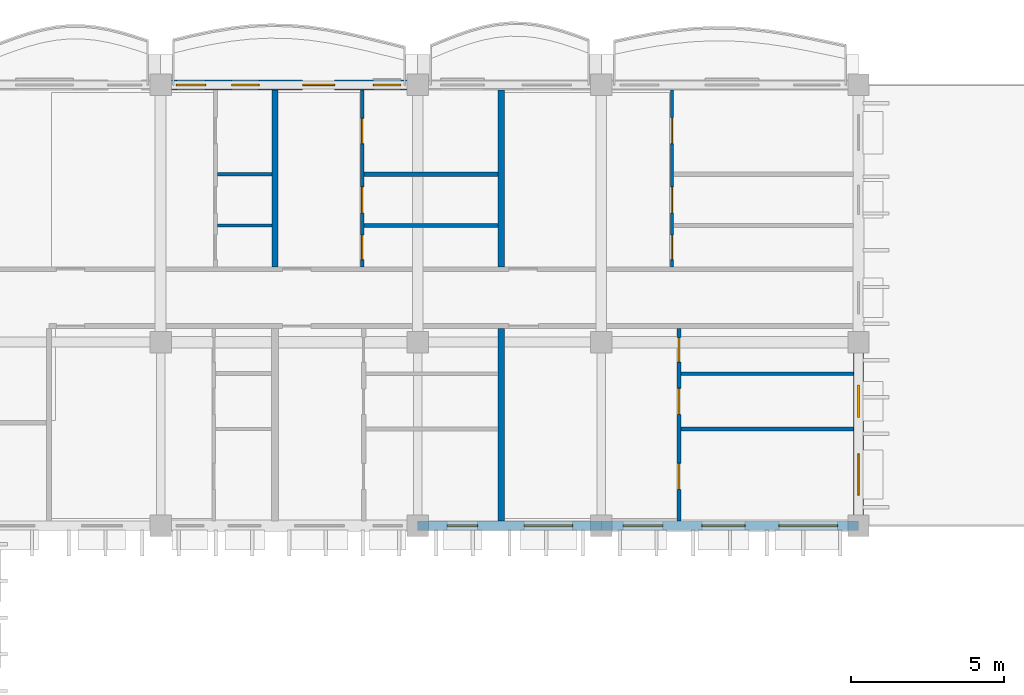
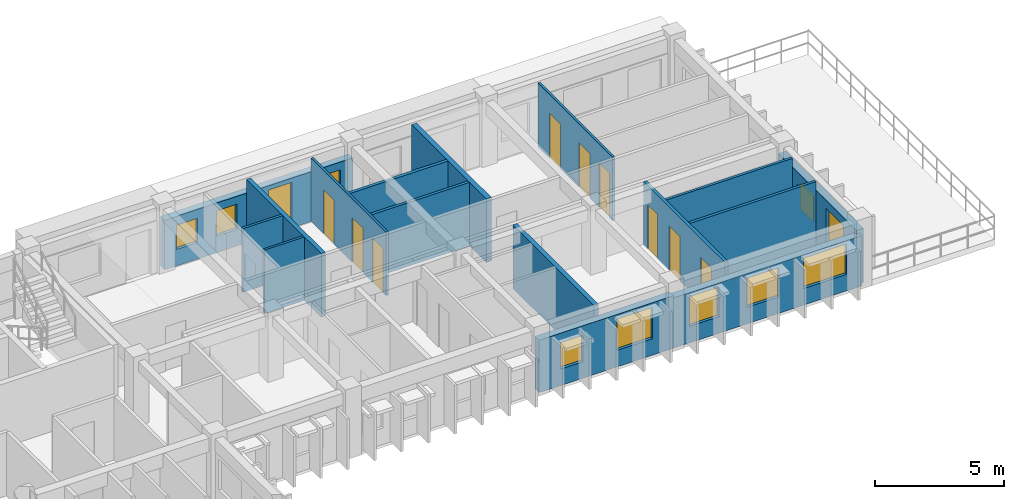
# One storey, part 23 of 66: 16 walls, 11 doors, 9 windows, 20 openings.
"""IFC4 building model written with IfcOpenShell, lengths in metres."""

from ifc_helpers import new_model, si_unit, direction, frame, frame_2d, origin, place, context, subcontext, project, spatial, rectangle, extrude, material, layer, layer_set, type_object, element, fill, save


model = new_model("IFC4")

# Units and contexts
model_context = context("Model", 3, precision=1e-05, world=origin(), true_north=direction((0.0, 1.0)))
body_context = subcontext(model_context, "Body", "Model", "MODEL_VIEW")
ifc_project = project(units=[si_unit("LENGTHUNIT", "METRE"), si_unit("AREAUNIT", "SQUARE_METRE"), si_unit("VOLUMEUNIT", "CUBIC_METRE"), si_unit("PLANEANGLEUNIT", "RADIAN"), si_unit("MASSUNIT", "GRAM", prefix="KILO"), si_unit("THERMODYNAMICTEMPERATUREUNIT", "KELVIN")], contexts=[model_context])

# Site, building, storey
site_placement = place(None, origin())
site = spatial("IfcSite", under=ifc_project, at=site_placement, CompositionType="ELEMENT")
building_placement = place(site_placement, origin())
building = spatial("IfcBuilding", under=site, at=building_placement, Name="Thalorik Housing Commons", CompositionType="ELEMENT")
storey_placement = place(building_placement, frame((0.0, 0.0, 21.300048828125)))
storey = spatial("IfcBuildingStorey", under=building, at=storey_placement, Name="L06", CompositionType="ELEMENT", Elevation=21.300048828125)

# Wall, openings, windows
ifc_material_1 = material(Name="White precast concrete C40/50", Category="concrete")
ifc_layer_1 = layer(ifc_material_1, 0.320068359375, Name="White precast concrete C40/50", Category="concrete")
ifc_layer_set_1 = layer_set([ifc_layer_1], Name="White precast concrete C40/50")
wall_type_1 = type_object("IfcWallType", Name="ARC-WAL-EXT-320", PredefinedType="STANDARD", material=ifc_layer_set_1)
wall_1_placement = place(storey_placement, frame((37.199951171875, 109.199951171875, 0.0), z_axis=(0.0, 0.0, 1.0), x_axis=(1.0, 0.0, 0.0)))
wall_1 = element("IfcWall", 1, at=wall_1_placement, inside=storey, type_object=wall_type_1, Name="L06 Exterior Wall WAL-EXT-L06-A-0171", PredefinedType="STANDARD", context=body_context, shape_type="SweptSolid", body=[
    extrude(rectangle(XDim=6.0, YDim=0.320068359375, at=frame_2d((3.0, 0.0))), origin(), (0.0, 0.0, 1.0), 2.474853515625),
])
opening_1_placement = place(wall_1_placement, frame((0.9599609375, 0.0, 0.780029296875)))
opening_1 = element("IfcOpeningElement", 2, at=opening_1_placement, cuts=wall_1, Name="Opening W-02", PredefinedType="OPENING", context=body_context, shape_type="SweptSolid", body=[
    extrude(rectangle(XDim=1.0, YDim=1.25, at=frame_2d((0.5, 0.625))), frame((0.0, 0.169921875, 0.0), z_axis=(0.0, -1.0, 0.0), x_axis=(1.0, 0.0, 0.0)), (0.0, 0.0, 1.0), 0.340087890625),
])
opening_2_placement = place(wall_1_placement, frame((3.47998046875, 0.0, 0.780029296875)))
opening_2 = element("IfcOpeningElement", 3, at=opening_2_placement, cuts=wall_1, Name="Opening W-53", PredefinedType="OPENING", context=body_context, shape_type="SweptSolid", body=[
    extrude(rectangle(XDim=1.580078125, YDim=1.47998046875, at=frame_2d((0.7900390625, 0.739990234375))), frame((0.0, 0.169921875, 0.0), z_axis=(0.0, -1.0, 0.0), x_axis=(1.0, 0.0, 0.0)), (0.0, 0.0, 1.0), 0.340087890625),
])
ifc_material_2 = material(Name="Anodised aluminium and solar-control low-E glass", Category="aluminium")
window_type_1 = type_object("IfcWindowType", Name="ARC-WIN-02", PartitioningType="SINGLE_PANEL", PredefinedType="WINDOW", material=ifc_material_2)
window_1_placement = place(opening_1_placement, origin())
window_1 = element("IfcWindow", 4, at=window_1_placement, inside=storey, type_object=window_type_1, Name="L06 Facade Window 307", OverallHeight=1.25, OverallWidth=1.0, PartitioningType="SINGLE_PANEL", PredefinedType="WINDOW", context=body_context, shape_type="SweptSolid", body=[
    extrude(rectangle(XDim=1.0, YDim=1.25, at=frame_2d((0.5, 0.625))), frame((0.0, 0.030029296875, 0.0), z_axis=(0.0, -1.0, 0.0), x_axis=(1.0, 0.0, 0.0)), (0.0, 0.0, 1.0), 0.06005859375),
])
fill(opening_1, window_1)
window_type_2 = type_object("IfcWindowType", Name="ARC-WIN-53", PartitioningType="SINGLE_PANEL", PredefinedType="WINDOW", material=ifc_material_2)
window_2_placement = place(opening_2_placement, origin())
window_2 = element("IfcWindow", 5, at=window_2_placement, inside=storey, type_object=window_type_2, Name="L06 Facade Window 308", OverallHeight=1.47998046875, OverallWidth=1.580078125, PartitioningType="SINGLE_PANEL", PredefinedType="WINDOW", context=body_context, shape_type="SweptSolid", body=[
    extrude(rectangle(XDim=1.580078125, YDim=1.47998046875, at=frame_2d((0.7900390625, 0.739990234375))), frame((0.0, 0.030029296875, 0.0), z_axis=(0.0, -1.0, 0.0), x_axis=(1.0, 0.0, 0.0)), (0.0, 0.0, 1.0), 0.06005859375),
])
fill(opening_2, window_2)

wall_2_placement = place(storey_placement, frame((43.199951171875, 109.199951171875, 0.0), z_axis=(0.0, 0.0, 1.0), x_axis=(1.0, 0.0, 0.0)))
wall_2 = element("IfcWall", 6, at=wall_2_placement, inside=storey, type_object=wall_type_1, Name="L06 Exterior Wall WAL-EXT-L06-A-0172", PredefinedType="STANDARD", context=body_context, shape_type="SweptSolid", body=[
    extrude(rectangle(XDim=8.400146484375, YDim=0.320068359375, at=frame_2d((4.2001953125, 0.0))), origin(), (0.0, 0.0, 1.0), 2.375),
])
opening_3_placement = place(wall_2_placement, frame((0.71240234375, 0.0, 0.780029296875)))
opening_3 = element("IfcOpeningElement", 7, at=opening_3_placement, cuts=wall_2, Name="Opening W-06", PredefinedType="OPENING", context=body_context, shape_type="SweptSolid", body=[
    extrude(rectangle(XDim=1.300048828125, YDim=1.39990234375, at=frame_2d((0.64990234375, 0.699951171875))), frame((0.0, 0.169921875, 0.0), z_axis=(0.0, -1.0, 0.0), x_axis=(1.0, 0.0, 0.0)), (0.0, 0.0, 1.0), 0.340087890625),
])
opening_4_placement = place(wall_2_placement, frame((3.27880859375, 0.0, 0.780029296875)))
opening_4 = element("IfcOpeningElement", 8, at=opening_4_placement, cuts=wall_2, Name="Opening W-50", PredefinedType="OPENING", context=body_context, shape_type="SweptSolid", body=[
    extrude(rectangle(XDim=1.419921875, YDim=1.3798828125, at=frame_2d((0.7099609375, 0.68994140625))), frame((0.0, 0.169921875, 0.0), z_axis=(0.0, -1.0, 0.0), x_axis=(1.0, 0.0, 0.0)), (0.0, 0.0, 1.0), 0.340087890625),
])
opening_5_placement = place(wall_2_placement, frame((5.796142578125, 0.0, 0.780029296875)))
opening_5 = element("IfcOpeningElement", 9, at=opening_5_placement, cuts=wall_2, Name="Opening W-60", PredefinedType="OPENING", context=body_context, shape_type="SweptSolid", body=[
    extrude(rectangle(XDim=1.919921875, YDim=1.43994140625, at=frame_2d((0.9599609375, 0.719970703125))), frame((0.0, 0.169921875, 0.0), z_axis=(0.0, -1.0, 0.0), x_axis=(1.0, 0.0, 0.0)), (0.0, 0.0, 1.0), 0.340087890625),
])
window_type_3 = type_object("IfcWindowType", Name="ARC-WIN-06", PartitioningType="SINGLE_PANEL", PredefinedType="WINDOW", material=ifc_material_2)
window_3_placement = place(opening_3_placement, origin())
window_3 = element("IfcWindow", 10, at=window_3_placement, inside=storey, type_object=window_type_3, Name="L06 Facade Window 309", OverallHeight=1.39990234375, OverallWidth=1.300048828125, PartitioningType="SINGLE_PANEL", PredefinedType="WINDOW", context=body_context, shape_type="SweptSolid", body=[
    extrude(rectangle(XDim=1.300048828125, YDim=1.39990234375, at=frame_2d((0.64990234375, 0.699951171875))), frame((0.0, 0.030029296875, 0.0), z_axis=(0.0, -1.0, 0.0), x_axis=(1.0, 0.0, 0.0)), (0.0, 0.0, 1.0), 0.06005859375),
])
fill(opening_3, window_3)
window_type_4 = type_object("IfcWindowType", Name="ARC-WIN-50", PartitioningType="SINGLE_PANEL", PredefinedType="WINDOW", material=ifc_material_2)
window_4_placement = place(opening_4_placement, origin())
window_4 = element("IfcWindow", 11, at=window_4_placement, inside=storey, type_object=window_type_4, Name="L06 Facade Window 310", OverallHeight=1.3798828125, OverallWidth=1.419921875, PartitioningType="SINGLE_PANEL", PredefinedType="WINDOW", context=body_context, shape_type="SweptSolid", body=[
    extrude(rectangle(XDim=1.419921875, YDim=1.3798828125, at=frame_2d((0.7099609375, 0.68994140625))), frame((0.0, 0.030029296875, 0.0), z_axis=(0.0, -1.0, 0.0), x_axis=(1.0, 0.0, 0.0)), (0.0, 0.0, 1.0), 0.06005859375),
])
fill(opening_4, window_4)
window_type_5 = type_object("IfcWindowType", Name="ARC-WIN-60", PartitioningType="DOUBLE_PANEL_VERTICAL", PredefinedType="WINDOW", material=ifc_material_2)
window_5_placement = place(opening_5_placement, origin())
window_5 = element("IfcWindow", 12, at=window_5_placement, inside=storey, type_object=window_type_5, Name="L06 Facade Window 311", OverallHeight=1.43994140625, OverallWidth=1.919921875, PartitioningType="DOUBLE_PANEL_VERTICAL", PredefinedType="WINDOW", context=body_context, shape_type="SweptSolid", body=[
    extrude(rectangle(XDim=1.919921875, YDim=1.43994140625, at=frame_2d((0.9599609375, 0.719970703125))), frame((0.0, 0.030029296875, 0.0), z_axis=(0.0, -1.0, 0.0), x_axis=(1.0, 0.0, 0.0)), (0.0, 0.0, 1.0), 0.06005859375),
])
fill(opening_5, window_5)

# Wall, openings, door, window
wall_3_placement = place(storey_placement, frame((51.60009765625, 109.199951171875, 0.0), z_axis=(0.0, 0.0, 1.0), x_axis=(0.0, 1.0, 0.0)))
wall_3 = element("IfcWall", 13, at=wall_3_placement, inside=storey, type_object=wall_type_1, Name="L06 Exterior Wall WAL-EXT-L06-A-0173", PredefinedType="STANDARD", context=body_context, shape_type="SweptSolid", body=[
    extrude(rectangle(XDim=6.0, YDim=0.320068359375, at=frame_2d((3.0, 0.0))), origin(), (0.0, 0.0, 1.0), 2.574951171875),
])
opening_6_placement = place(wall_3_placement, frame((1.00048828125, 0.0, 0.0)))
opening_6 = element("IfcOpeningElement", 14, at=opening_6_placement, cuts=wall_3, Name="Opening ED-0050", PredefinedType="OPENING", context=body_context, shape_type="SweptSolid", body=[
    extrude(rectangle(XDim=1.35009765625, YDim=2.199951171875, at=frame_2d((0.675048828125, 1.10009765625))), frame((0.0, 0.169921875, 0.0), z_axis=(0.0, -1.0, 0.0), x_axis=(1.0, 0.0, 0.0)), (0.0, 0.0, 1.0), 0.340087890625),
])
opening_7_placement = place(wall_3_placement, frame((3.540283203125, 0.0, 0.780029296875)))
opening_7 = element("IfcOpeningElement", 15, at=opening_7_placement, cuts=wall_3, Name="Opening W-44", PredefinedType="OPENING", context=body_context, shape_type="SweptSolid", body=[
    extrude(rectangle(XDim=1.050048828125, YDim=1.199951171875, at=frame_2d((0.52490234375, 0.60009765625))), frame((0.0, 0.169921875, 0.0), z_axis=(0.0, -1.0, 0.0), x_axis=(1.0, 0.0, 0.0)), (0.0, 0.0, 1.0), 0.340087890625),
])
ifc_material_3 = material(Name="Anodised aluminium and laminated safety glass", Category="aluminium")
door_type_1 = type_object("IfcDoorType", Name="ARC-DR-TERR-1350", OperationType="NOTDEFINED", PredefinedType="DOOR", material=ifc_material_3)
door_1_placement = place(opening_6_placement, frame((1.35009765625, 0.0, 0.0), z_axis=(0.0, 0.0, 1.0), x_axis=(-1.0, 0.0, 0.0)))
door_1 = element("IfcDoor", 16, at=door_1_placement, inside=storey, type_object=door_type_1, Name="L06 Block A L06 East Sky-Garden Terrace Access Door", OperationType="SINGLE_SWING_LEFT", OverallHeight=2.199951171875, OverallWidth=1.35009765625, PredefinedType="DOOR", context=body_context, shape_type="SweptSolid", body=[
    extrude(rectangle(XDim=1.35009765625, YDim=2.199951171875, at=frame_2d((0.675048828125, 1.10009765625))), frame((0.0, 0.02490234375, 0.0), z_axis=(0.0, -1.0, 0.0), x_axis=(1.0, 0.0, 0.0)), (0.0, 0.0, 1.0), 0.050048828125),
])
fill(opening_6, door_1)
window_type_6 = type_object("IfcWindowType", Name="ARC-WIN-44", PartitioningType="SINGLE_PANEL", PredefinedType="WINDOW", material=ifc_material_2)
window_6_placement = place(opening_7_placement, origin())
window_6 = element("IfcWindow", 17, at=window_6_placement, inside=storey, type_object=window_type_6, Name="L06 Facade Window 312", OverallHeight=1.199951171875, OverallWidth=1.050048828125, PartitioningType="SINGLE_PANEL", PredefinedType="WINDOW", context=body_context, shape_type="SweptSolid", body=[
    extrude(rectangle(XDim=1.050048828125, YDim=1.199951171875, at=frame_2d((0.52490234375, 0.60009765625))), frame((0.0, 0.030029296875, 0.0), z_axis=(0.0, -1.0, 0.0), x_axis=(1.0, 0.0, 0.0)), (0.0, 0.0, 1.0), 0.06005859375),
])
fill(opening_7, window_6)

# Wall, openings, door, windows
wall_4_placement = place(storey_placement, frame((37.199951171875, 123.60009765625, 0.0), z_axis=(0.0, 0.0, 1.0), x_axis=(-1.0, 0.0, 0.0)))
wall_4 = element("IfcWall", 18, at=wall_4_placement, inside=storey, type_object=wall_type_1, Name="L06 Exterior Wall WAL-EXT-L06-A-0177", PredefinedType="STANDARD", context=body_context, shape_type="SweptSolid", body=[
    extrude(rectangle(XDim=8.39990234375, YDim=0.320068359375, at=frame_2d((4.199951171875, 0.0))), origin(), (0.0, 0.0, 1.0), 2.344970703125),
])
opening_8_placement = place(wall_4_placement, frame((2.71142578125, 0.0, 0.0)))
opening_8 = element("IfcOpeningElement", 19, at=opening_8_placement, cuts=wall_4, Name="Opening ED-0054", PredefinedType="OPENING", context=body_context, shape_type="SweptSolid", body=[
    extrude(rectangle(XDim=1.050048828125, YDim=2.14990234375, at=frame_2d((0.52490234375, 1.074951171875))), frame((0.0, 0.169921875, 0.0), z_axis=(0.0, -1.0, 0.0), x_axis=(1.0, 0.0, 0.0)), (0.0, 0.0, 1.0), 0.340087890625),
])
opening_9_placement = place(wall_4_placement, frame((0.551513671875, 0.0, 0.780029296875)))
opening_9 = element("IfcOpeningElement", 20, at=opening_9_placement, cuts=wall_4, Name="Opening W-01", PredefinedType="OPENING", context=body_context, shape_type="SweptSolid", body=[
    extrude(rectangle(XDim=0.89990234375, YDim=1.199951171875, at=frame_2d((0.449951171875, 0.60009765625))), frame((0.0, 0.169921875, 0.0), z_axis=(0.0, -1.0, 0.0), x_axis=(1.0, 0.0, 0.0)), (0.0, 0.0, 1.0), 0.340087890625),
])
opening_10_placement = place(wall_4_placement, frame((5.181396484375, 0.0, 0.780029296875)))
opening_10 = element("IfcOpeningElement", 21, at=opening_10_placement, cuts=wall_4, Name="Opening W-01", PredefinedType="OPENING", context=body_context, shape_type="SweptSolid", body=[
    extrude(rectangle(XDim=0.89990234375, YDim=1.199951171875, at=frame_2d((0.449951171875, 0.60009765625))), frame((0.0, 0.169921875, 0.0), z_axis=(0.0, -1.0, 0.0), x_axis=(1.0, 0.0, 0.0)), (0.0, 0.0, 1.0), 0.340087890625),
])
opening_11_placement = place(wall_4_placement, frame((6.931396484375, 0.0, 0.780029296875)))
opening_11 = element("IfcOpeningElement", 22, at=opening_11_placement, cuts=wall_4, Name="Opening W-43", PredefinedType="OPENING", context=body_context, shape_type="SweptSolid", body=[
    extrude(rectangle(XDim=0.949951171875, YDim=1.14990234375, at=frame_2d((0.47509765625, 0.574951171875))), frame((0.0, 0.169921875, 0.0), z_axis=(0.0, -1.0, 0.0), x_axis=(1.0, 0.0, 0.0)), (0.0, 0.0, 1.0), 0.340087890625),
])
door_type_2 = type_object("IfcDoorType", Name="ARC-DR-BAL-1050", OperationType="NOTDEFINED", PredefinedType="DOOR", material=ifc_material_3)
door_2_placement = place(opening_8_placement, frame((1.050048828125, 0.0, 0.0), z_axis=(0.0, 0.0, 1.0), x_axis=(-1.0, 0.0, 0.0)))
door_2 = element("IfcDoor", 23, at=door_2_placement, inside=storey, type_object=door_type_2, Name="L06 Block A Balcony Glazed Door", OperationType="SINGLE_SWING_LEFT", OverallHeight=2.14990234375, OverallWidth=1.050048828125, PredefinedType="DOOR", context=body_context, shape_type="SweptSolid", body=[
    extrude(rectangle(XDim=1.050048828125, YDim=2.14990234375, at=frame_2d((0.52490234375, 1.074951171875))), frame((0.0, 0.02490234375, 0.0), z_axis=(0.0, -1.0, 0.0), x_axis=(1.0, 0.0, 0.0)), (0.0, 0.0, 1.0), 0.050048828125),
])
fill(opening_8, door_2)
window_type_7 = type_object("IfcWindowType", Name="ARC-WIN-01", PartitioningType="SINGLE_PANEL", PredefinedType="WINDOW", material=ifc_material_2)
window_7_placement = place(opening_9_placement, origin())
window_7 = element("IfcWindow", 24, at=window_7_placement, inside=storey, type_object=window_type_7, Name="L06 Facade Window 318", OverallHeight=1.199951171875, OverallWidth=0.89990234375, PartitioningType="SINGLE_PANEL", PredefinedType="WINDOW", context=body_context, shape_type="SweptSolid", body=[
    extrude(rectangle(XDim=0.89990234375, YDim=1.199951171875, at=frame_2d((0.449951171875, 0.60009765625))), frame((0.0, 0.030029296875, 0.0), z_axis=(0.0, -1.0, 0.0), x_axis=(1.0, 0.0, 0.0)), (0.0, 0.0, 1.0), 0.06005859375),
])
fill(opening_9, window_7)
window_8_placement = place(opening_10_placement, origin())
window_8 = element("IfcWindow", 25, at=window_8_placement, inside=storey, type_object=window_type_7, Name="L06 Facade Window 319", OverallHeight=1.199951171875, OverallWidth=0.89990234375, PartitioningType="SINGLE_PANEL", PredefinedType="WINDOW", context=body_context, shape_type="SweptSolid", body=[
    extrude(rectangle(XDim=0.89990234375, YDim=1.199951171875, at=frame_2d((0.449951171875, 0.60009765625))), frame((0.0, 0.030029296875, 0.0), z_axis=(0.0, -1.0, 0.0), x_axis=(1.0, 0.0, 0.0)), (0.0, 0.0, 1.0), 0.06005859375),
])
fill(opening_10, window_8)
window_type_8 = type_object("IfcWindowType", Name="ARC-WIN-43", PartitioningType="SINGLE_PANEL", PredefinedType="WINDOW", material=ifc_material_2)
window_9_placement = place(opening_11_placement, origin())
window_9 = element("IfcWindow", 26, at=window_9_placement, inside=storey, type_object=window_type_8, Name="L06 Facade Window 320", OverallHeight=1.14990234375, OverallWidth=0.949951171875, PartitioningType="SINGLE_PANEL", PredefinedType="WINDOW", context=body_context, shape_type="SweptSolid", body=[
    extrude(rectangle(XDim=0.949951171875, YDim=1.14990234375, at=frame_2d((0.47509765625, 0.574951171875))), frame((0.0, 0.030029296875, 0.0), z_axis=(0.0, -1.0, 0.0), x_axis=(1.0, 0.0, 0.0)), (0.0, 0.0, 1.0), 0.06005859375),
])
fill(opening_11, window_9)

# Wall
ifc_material_4 = material(Name="Gypsum light stud partition", Category="masonry")
ifc_layer_2 = layer(ifc_material_4, 0.10009765625, Name="Gypsum light stud partition", Category="masonry")
ifc_layer_set_2 = layer_set([ifc_layer_2], Name="Gypsum light stud partition")
wall_type_2 = type_object("IfcWallType", Name="ARC-WAL-PART-100", PredefinedType="PARTITIONING", material=ifc_layer_set_2)
wall_5_placement = place(storey_placement, frame((30.66162109375, 119.010498046875, 0.0), z_axis=(0.0, 0.0, 1.0), x_axis=(1.0, 0.0, 0.0)))
element("IfcWall", 27, at=wall_5_placement, inside=storey, type_object=wall_type_2, Name="L06 Unit 1B Wet Wall", PredefinedType="PARTITIONING", context=body_context, shape_type="SweptSolid", body=[
    extrude(rectangle(XDim=1.783935546875, YDim=0.10009765625, at=frame_2d((0.89208984375, 0.0))), origin(), (0.0, 0.0, 1.0), 3.0),
])

# Wall, openings, doors
wall_6_placement = place(storey_placement, frame((35.38720703125, 117.656982421875, 0.0), z_axis=(0.0, 0.0, 1.0), x_axis=(0.0, 1.0, 0.0)))
wall_6 = element("IfcWall", 28, at=wall_6_placement, inside=storey, type_object=wall_type_2, Name="L06 Unit 2B Spine Partition", PredefinedType="PARTITIONING", context=body_context, shape_type="SweptSolid", body=[
    extrude(rectangle(XDim=5.781005859375, YDim=0.10009765625, at=frame_2d((2.890625, 0.0))), origin(), (0.0, 0.0, 1.0), 3.0),
])
opening_12_placement = place(wall_6_placement, frame((0.23828125, 0.0, 0.0)))
opening_12 = element("IfcOpeningElement", 29, at=opening_12_placement, cuts=wall_6, Name="Opening ID-0654", PredefinedType="OPENING", context=body_context, shape_type="SweptSolid", body=[
    extrude(rectangle(XDim=0.800048828125, YDim=2.10009765625, at=frame_2d((0.39990234375, 1.050048828125))), frame((0.0, 0.06005859375, 0.0), z_axis=(0.0, -1.0, 0.0), x_axis=(1.0, 0.0, 0.0)), (0.0, 0.0, 1.0), 0.1201171875),
])
opening_13_placement = place(wall_6_placement, frame((1.7626953125, 0.0, 0.0)))
opening_13 = element("IfcOpeningElement", 30, at=opening_13_placement, cuts=wall_6, Name="Opening ID-0655", PredefinedType="OPENING", context=body_context, shape_type="SweptSolid", body=[
    extrude(rectangle(XDim=0.85009765625, YDim=2.10009765625, at=frame_2d((0.425048828125, 1.050048828125))), frame((0.0, 0.06005859375, 0.0), z_axis=(0.0, -1.0, 0.0), x_axis=(1.0, 0.0, 0.0)), (0.0, 0.0, 1.0), 0.1201171875),
])
opening_14_placement = place(wall_6_placement, frame((4.027587890625, 0.0, 0.0)))
opening_14 = element("IfcOpeningElement", 31, at=opening_14_placement, cuts=wall_6, Name="Opening ID-0656", PredefinedType="OPENING", context=body_context, shape_type="SweptSolid", body=[
    extrude(rectangle(XDim=0.820068359375, YDim=2.080078125, at=frame_2d((0.41015625, 1.0400390625))), frame((0.0, 0.06005859375, 0.0), z_axis=(0.0, -1.0, 0.0), x_axis=(1.0, 0.0, 0.0)), (0.0, 0.0, 1.0), 0.1201171875),
])
ifc_material_5 = material(Name="Moisture-resistant timber", Category="wood")
door_type_3 = type_object("IfcDoorType", Name="ARC-DR-INT-800", OperationType="NOTDEFINED", PredefinedType="DOOR", material=ifc_material_5)
door_3_placement = place(opening_12_placement, origin())
door_3 = element("IfcDoor", 32, at=door_3_placement, inside=storey, type_object=door_type_3, Name="L06 Accessible Bathroom Door", OperationType="SINGLE_SWING_LEFT", OverallHeight=2.10009765625, OverallWidth=0.800048828125, PredefinedType="DOOR", context=body_context, shape_type="SweptSolid", body=[
    extrude(rectangle(XDim=0.800048828125, YDim=2.10009765625, at=frame_2d((0.39990234375, 1.050048828125))), frame((0.0, 0.02490234375, 0.0), z_axis=(0.0, -1.0, 0.0), x_axis=(1.0, 0.0, 0.0)), (0.0, 0.0, 1.0), 0.050048828125),
])
fill(opening_12, door_3)
ifc_material_6 = material(Name="Engineered oak timber", Category="wood")
door_type_4 = type_object("IfcDoorType", Name="ARC-DR-INT-820", OperationType="NOTDEFINED", PredefinedType="DOOR", material=ifc_material_6)
door_4_placement = place(opening_14_placement, origin())
door_4 = element("IfcDoor", 33, at=door_4_placement, inside=storey, type_object=door_type_4, Name="L06 Single Bedroom Door", OperationType="SINGLE_SWING_LEFT", OverallHeight=2.080078125, OverallWidth=0.820068359375, PredefinedType="DOOR", context=body_context, shape_type="SweptSolid", body=[
    extrude(rectangle(XDim=0.820068359375, YDim=2.080078125, at=frame_2d((0.41015625, 1.0400390625))), frame((0.0, 0.02490234375, 0.0), z_axis=(0.0, -1.0, 0.0), x_axis=(1.0, 0.0, 0.0)), (0.0, 0.0, 1.0), 0.050048828125),
])
fill(opening_14, door_4)
door_type_5 = type_object("IfcDoorType", Name="ARC-DR-INT-850", OperationType="NOTDEFINED", PredefinedType="DOOR", material=ifc_material_6)
door_5_placement = place(opening_13_placement, origin())
door_5 = element("IfcDoor", 34, at=door_5_placement, inside=storey, type_object=door_type_5, Name="L06 Eat-In Kitchen Door", OperationType="SINGLE_SWING_RIGHT", OverallHeight=2.10009765625, OverallWidth=0.85009765625, PredefinedType="DOOR", context=body_context, shape_type="SweptSolid", body=[
    extrude(rectangle(XDim=0.85009765625, YDim=2.10009765625, at=frame_2d((0.425048828125, 1.050048828125))), frame((0.0, 0.02490234375, 0.0), z_axis=(0.0, -1.0, 0.0), x_axis=(1.0, 0.0, 0.0)), (0.0, 0.0, 1.0), 0.050048828125),
])
fill(opening_13, door_5)

wall_7_placement = place(storey_placement, frame((45.502685546875, 117.656982421875, 0.0), z_axis=(0.0, 0.0, 1.0), x_axis=(0.0, 1.0, 0.0)))
wall_7 = element("IfcWall", 35, at=wall_7_placement, inside=storey, type_object=wall_type_2, Name="L06 Unit 3B Spine Partition", PredefinedType="PARTITIONING", context=body_context, shape_type="SweptSolid", body=[
    extrude(rectangle(XDim=5.781005859375, YDim=0.10009765625, at=frame_2d((2.890625, 0.0))), origin(), (0.0, 0.0, 1.0), 3.0),
])
opening_15_placement = place(wall_7_placement, frame((0.23828125, 0.0, 0.0)))
opening_15 = element("IfcOpeningElement", 36, at=opening_15_placement, cuts=wall_7, Name="Opening ID-0660", PredefinedType="OPENING", context=body_context, shape_type="SweptSolid", body=[
    extrude(rectangle(XDim=0.800048828125, YDim=2.10009765625, at=frame_2d((0.39990234375, 1.050048828125))), frame((0.0, 0.06005859375, 0.0), z_axis=(0.0, -1.0, 0.0), x_axis=(1.0, 0.0, 0.0)), (0.0, 0.0, 1.0), 0.1201171875),
])
opening_16_placement = place(wall_7_placement, frame((1.7626953125, 0.0, 0.0)))
opening_16 = element("IfcOpeningElement", 37, at=opening_16_placement, cuts=wall_7, Name="Opening ID-0661", PredefinedType="OPENING", context=body_context, shape_type="SweptSolid", body=[
    extrude(rectangle(XDim=0.85009765625, YDim=2.10009765625, at=frame_2d((0.425048828125, 1.050048828125))), frame((0.0, 0.06005859375, 0.0), z_axis=(0.0, -1.0, 0.0), x_axis=(1.0, 0.0, 0.0)), (0.0, 0.0, 1.0), 0.1201171875),
])
opening_17_placement = place(wall_7_placement, frame((4.027587890625, 0.0, 0.0)))
opening_17 = element("IfcOpeningElement", 38, at=opening_17_placement, cuts=wall_7, Name="Opening ID-0662", PredefinedType="OPENING", context=body_context, shape_type="SweptSolid", body=[
    extrude(rectangle(XDim=0.85009765625, YDim=2.10009765625, at=frame_2d((0.425048828125, 1.050048828125))), frame((0.0, 0.06005859375, 0.0), z_axis=(0.0, -1.0, 0.0), x_axis=(1.0, 0.0, 0.0)), (0.0, 0.0, 1.0), 0.1201171875),
])
door_6_placement = place(opening_15_placement, origin())
door_6 = element("IfcDoor", 39, at=door_6_placement, inside=storey, type_object=door_type_3, Name="L06 Flat Bathroom Door", OperationType="SINGLE_SWING_LEFT", OverallHeight=2.10009765625, OverallWidth=0.800048828125, PredefinedType="DOOR", context=body_context, shape_type="SweptSolid", body=[
    extrude(rectangle(XDim=0.800048828125, YDim=2.10009765625, at=frame_2d((0.39990234375, 1.050048828125))), frame((0.0, 0.02490234375, 0.0), z_axis=(0.0, -1.0, 0.0), x_axis=(1.0, 0.0, 0.0)), (0.0, 0.0, 1.0), 0.050048828125),
])
fill(opening_15, door_6)
door_7_placement = place(opening_16_placement, origin())
door_7 = element("IfcDoor", 40, at=door_7_placement, inside=storey, type_object=door_type_5, Name="L06 Galley Kitchen Door", OperationType="SINGLE_SWING_RIGHT", OverallHeight=2.10009765625, OverallWidth=0.85009765625, PredefinedType="DOOR", context=body_context, shape_type="SweptSolid", body=[
    extrude(rectangle(XDim=0.85009765625, YDim=2.10009765625, at=frame_2d((0.425048828125, 1.050048828125))), frame((0.0, 0.02490234375, 0.0), z_axis=(0.0, -1.0, 0.0), x_axis=(1.0, 0.0, 0.0)), (0.0, 0.0, 1.0), 0.050048828125),
])
fill(opening_16, door_7)
door_8_placement = place(opening_17_placement, origin())
door_8 = element("IfcDoor", 41, at=door_8_placement, inside=storey, type_object=door_type_5, Name="L06 Single Bedroom Door", OperationType="SINGLE_SWING_LEFT", OverallHeight=2.10009765625, OverallWidth=0.85009765625, PredefinedType="DOOR", context=body_context, shape_type="SweptSolid", body=[
    extrude(rectangle(XDim=0.85009765625, YDim=2.10009765625, at=frame_2d((0.425048828125, 1.050048828125))), frame((0.0, 0.02490234375, 0.0), z_axis=(0.0, -1.0, 0.0), x_axis=(1.0, 0.0, 0.0)), (0.0, 0.0, 1.0), 0.050048828125),
])
fill(opening_17, door_8)

# Walls
ifc_material_7 = material(Name="Gypsum moisture-resistant partition", Category="masonry")
ifc_layer_3 = layer(ifc_material_7, 0.114990234375, Name="Gypsum moisture-resistant partition", Category="masonry")
ifc_layer_set_3 = layer_set([ifc_layer_3], Name="Gypsum moisture-resistant partition")
wall_type_3 = type_object("IfcWallType", Name="ARC-WAL-PART-115", PredefinedType="PARTITIONING", material=ifc_layer_set_3)
wall_8_placement = place(storey_placement, frame((30.66162109375, 120.67919921875, 0.0), z_axis=(0.0, 0.0, 1.0), x_axis=(1.0, 0.0, 0.0)))
element("IfcWall", 42, at=wall_8_placement, inside=storey, type_object=wall_type_3, Name="L06 Unit 1B Bedroom Partition", PredefinedType="PARTITIONING", context=body_context, shape_type="SweptSolid", body=[
    extrude(rectangle(XDim=1.783935546875, YDim=0.114990234375, at=frame_2d((0.89208984375, 0.0))), origin(), (0.0, 0.0, 1.0), 3.0),
])
wall_9_placement = place(storey_placement, frame((45.806884765625, 114.169677734375, 0.0), z_axis=(0.0, 0.0, 1.0), x_axis=(1.0, 0.0, 0.0)))
element("IfcWall", 43, at=wall_9_placement, inside=storey, type_object=wall_type_3, Name="L06 Unit 3 Wet Wall", PredefinedType="PARTITIONING", context=body_context, shape_type="SweptSolid", body=[
    extrude(rectangle(XDim=5.631103515625, YDim=0.114990234375, at=frame_2d((2.8154296875, 0.0))), origin(), (0.0, 0.0, 1.0), 3.0),
])
ifc_material_8 = material(Name="Gypsum acoustic stud partition", Category="masonry")
ifc_layer_4 = layer(ifc_material_8, 0.125, Name="Gypsum acoustic stud partition", Category="masonry")
ifc_layer_set_4 = layer_set([ifc_layer_4], Name="Gypsum acoustic stud partition")
wall_type_4 = type_object("IfcWallType", Name="ARC-WAL-PART-125", PredefinedType="PARTITIONING", material=ifc_layer_set_4)
wall_10_placement = place(storey_placement, frame((35.439208984375, 119.010498046875, 0.0), z_axis=(0.0, 0.0, 1.0), x_axis=(1.0, 0.0, 0.0)))
element("IfcWall", 44, at=wall_10_placement, inside=storey, type_object=wall_type_4, Name="L06 Unit 2B Wet Wall", PredefinedType="PARTITIONING", context=body_context, shape_type="SweptSolid", body=[
    extrude(rectangle(XDim=4.37890625, YDim=0.125, at=frame_2d((2.189453125, 0.0))), origin(), (0.0, 0.0, 1.0), 3.0),
])
wall_11_placement = place(storey_placement, frame((45.806884765625, 112.36083984375, 0.0), z_axis=(0.0, 0.0, 1.0), x_axis=(1.0, 0.0, 0.0)))
element("IfcWall", 45, at=wall_11_placement, inside=storey, type_object=wall_type_4, Name="L06 Unit 3 Bedroom Partition", PredefinedType="PARTITIONING", context=body_context, shape_type="SweptSolid", body=[
    extrude(rectangle(XDim=5.631103515625, YDim=0.125, at=frame_2d((2.8154296875, 0.0))), origin(), (0.0, 0.0, 1.0), 3.0),
])
ifc_material_9 = material(Name="Ceramic masonry partition wall", Category="masonry")
ifc_layer_5 = layer(ifc_material_9, 0.139892578125, Name="Ceramic masonry partition wall", Category="masonry")
ifc_layer_set_5 = layer_set([ifc_layer_5], Name="Ceramic masonry partition wall")
wall_type_5 = type_object("IfcWallType", Name="ARC-WAL-PART-140", PredefinedType="PARTITIONING", material=ifc_layer_set_5)
wall_12_placement = place(storey_placement, frame((35.439208984375, 120.67919921875, 0.0), z_axis=(0.0, 0.0, 1.0), x_axis=(1.0, 0.0, 0.0)))
element("IfcWall", 46, at=wall_12_placement, inside=storey, type_object=wall_type_5, Name="L06 Unit 2B Bedroom Partition", PredefinedType="PARTITIONING", context=body_context, shape_type="SweptSolid", body=[
    extrude(rectangle(XDim=4.37890625, YDim=0.139892578125, at=frame_2d((2.189453125, 0.0))), origin(), (0.0, 0.0, 1.0), 3.0),
])

# Wall, openings, doors
wall_13_placement = place(storey_placement, frame((45.735107421875, 109.362060546875, 0.0), z_axis=(0.0, 0.0, 1.0), x_axis=(0.0, 1.0, 0.0)))
wall_13 = element("IfcWall", 47, at=wall_13_placement, inside=storey, type_object=wall_type_5, Name="L06 Unit 3 Spine Partition", PredefinedType="PARTITIONING", context=body_context, shape_type="SweptSolid", body=[
    extrude(rectangle(XDim=6.2734375, YDim=0.139892578125, at=frame_2d((3.13671875, 0.0))), origin(), (0.0, 0.0, 1.0), 3.0),
])
opening_18_placement = place(wall_13_placement, frame((1.0234375, 0.0, 0.0)))
opening_18 = element("IfcOpeningElement", 48, at=opening_18_placement, cuts=wall_13, Name="Opening ID-0657", PredefinedType="OPENING", context=body_context, shape_type="SweptSolid", body=[
    extrude(rectangle(XDim=0.85009765625, YDim=2.10009765625, at=frame_2d((0.425048828125, 1.050048828125))), frame((0.0, 0.080078125, 0.0), z_axis=(0.0, -1.0, 0.0), x_axis=(1.0, 0.0, 0.0)), (0.0, 0.0, 1.0), 0.159912109375),
])
opening_19_placement = place(wall_13_placement, frame((3.478271484375, 0.0, 0.0)))
opening_19 = element("IfcOpeningElement", 49, at=opening_19_placement, cuts=wall_13, Name="Opening ID-0658", PredefinedType="OPENING", context=body_context, shape_type="SweptSolid", body=[
    extrude(rectangle(XDim=0.85009765625, YDim=2.10009765625, at=frame_2d((0.425048828125, 1.050048828125))), frame((0.0, 0.080078125, 0.0), z_axis=(0.0, -1.0, 0.0), x_axis=(1.0, 0.0, 0.0)), (0.0, 0.0, 1.0), 0.159912109375),
])
opening_20_placement = place(wall_13_placement, frame((5.182861328125, 0.0, 0.0)))
opening_20 = element("IfcOpeningElement", 50, at=opening_20_placement, cuts=wall_13, Name="Opening ID-0659", PredefinedType="OPENING", context=body_context, shape_type="SweptSolid", body=[
    extrude(rectangle(XDim=0.800048828125, YDim=2.10009765625, at=frame_2d((0.39990234375, 1.050048828125))), frame((0.0, 0.080078125, 0.0), z_axis=(0.0, -1.0, 0.0), x_axis=(1.0, 0.0, 0.0)), (0.0, 0.0, 1.0), 0.159912109375),
])
door_9_placement = place(opening_20_placement, origin())
door_9 = element("IfcDoor", 51, at=door_9_placement, inside=storey, type_object=door_type_3, Name="L06 Flat Bathroom Door", OperationType="SINGLE_SWING_RIGHT", OverallHeight=2.10009765625, OverallWidth=0.800048828125, PredefinedType="DOOR", context=body_context, shape_type="SweptSolid", body=[
    extrude(rectangle(XDim=0.800048828125, YDim=2.10009765625, at=frame_2d((0.39990234375, 1.050048828125))), frame((0.0, 0.02490234375, 0.0), z_axis=(0.0, -1.0, 0.0), x_axis=(1.0, 0.0, 0.0)), (0.0, 0.0, 1.0), 0.050048828125),
])
fill(opening_20, door_9)
door_10_placement = place(opening_18_placement, origin())
door_10 = element("IfcDoor", 52, at=door_10_placement, inside=storey, type_object=door_type_5, Name="L06 Double Bedroom Door", OperationType="SINGLE_SWING_RIGHT", OverallHeight=2.10009765625, OverallWidth=0.85009765625, PredefinedType="DOOR", context=body_context, shape_type="SweptSolid", body=[
    extrude(rectangle(XDim=0.85009765625, YDim=2.10009765625, at=frame_2d((0.425048828125, 1.050048828125))), frame((0.0, 0.02490234375, 0.0), z_axis=(0.0, -1.0, 0.0), x_axis=(1.0, 0.0, 0.0)), (0.0, 0.0, 1.0), 0.050048828125),
])
fill(opening_18, door_10)
door_11_placement = place(opening_19_placement, origin())
door_11 = element("IfcDoor", 53, at=door_11_placement, inside=storey, type_object=door_type_5, Name="L06 Galley Kitchen Door", OperationType="SINGLE_SWING_LEFT", OverallHeight=2.10009765625, OverallWidth=0.85009765625, PredefinedType="DOOR", context=body_context, shape_type="SweptSolid", body=[
    extrude(rectangle(XDim=0.85009765625, YDim=2.10009765625, at=frame_2d((0.425048828125, 1.050048828125))), frame((0.0, 0.02490234375, 0.0), z_axis=(0.0, -1.0, 0.0), x_axis=(1.0, 0.0, 0.0)), (0.0, 0.0, 1.0), 0.050048828125),
])
fill(opening_19, door_11)

# Walls
ifc_material_10 = material(Name="Masonry acoustic blockwork wall", Category="masonry")
ifc_layer_6 = layer(ifc_material_10, 0.18505859375, Name="Masonry acoustic blockwork wall", Category="masonry")
ifc_layer_set_6 = layer_set([ifc_layer_6], Name="Masonry acoustic blockwork wall")
wall_type_6 = type_object("IfcWallType", Name="ARC-WAL-PARTY-185", PredefinedType="PARTITIONING", material=ifc_layer_set_6)
wall_14_placement = place(storey_placement, frame((32.5400390625, 117.656982421875, 0.0), z_axis=(0.0, 0.0, 1.0), x_axis=(0.0, 1.0, 0.0)))
element("IfcWall", 54, at=wall_14_placement, inside=storey, type_object=wall_type_6, Name="L06 Inter-Tenancy Wall 1B", PredefinedType="PARTITIONING", context=body_context, shape_type="SweptSolid", body=[
    extrude(rectangle(XDim=5.781005859375, YDim=0.18505859375, at=frame_2d((2.890625, 0.0))), origin(), (0.0, 0.0, 1.0), 3.0),
])
ifc_material_11 = material(Name="Precast concrete C40/50 acoustic wall", Category="concrete")
ifc_layer_7 = layer(ifc_material_11, 0.199951171875, Name="Precast concrete C40/50 acoustic wall", Category="concrete")
ifc_layer_set_7 = layer_set([ifc_layer_7], Name="Precast concrete C40/50 acoustic wall")
wall_type_7 = type_object("IfcWallType", Name="ARC-WAL-PARTY-200", PredefinedType="PARTITIONING", material=ifc_layer_set_7)
wall_15_placement = place(storey_placement, frame((39.929931640625, 109.362060546875, 0.0), z_axis=(0.0, 0.0, 1.0), x_axis=(0.0, 1.0, 0.0)))
element("IfcWall", 55, at=wall_15_placement, inside=storey, type_object=wall_type_7, Name="L06 Inter-Tenancy Wall 2A", PredefinedType="PARTITIONING", context=body_context, shape_type="SweptSolid", body=[
    extrude(rectangle(XDim=6.2734375, YDim=0.199951171875, at=frame_2d((3.13671875, 0.0))), origin(), (0.0, 0.0, 1.0), 3.0),
])
ifc_layer_8 = layer(ifc_material_11, 0.219970703125, Name="Precast concrete C40/50 acoustic wall", Category="concrete")
ifc_layer_set_8 = layer_set([ifc_layer_8], Name="Precast concrete C40/50 acoustic wall")
wall_type_8 = type_object("IfcWallType", Name="ARC-WAL-PARTY-220", PredefinedType="PARTITIONING", material=ifc_layer_set_8)
wall_16_placement = place(storey_placement, frame((39.929931640625, 117.656982421875, 0.0), z_axis=(0.0, 0.0, 1.0), x_axis=(0.0, 1.0, 0.0)))
element("IfcWall", 56, at=wall_16_placement, inside=storey, type_object=wall_type_8, Name="L06 Inter-Tenancy Wall 2B", PredefinedType="PARTITIONING", context=body_context, shape_type="SweptSolid", body=[
    extrude(rectangle(XDim=5.781005859375, YDim=0.219970703125, at=frame_2d((2.890625, 0.0))), origin(), (0.0, 0.0, 1.0), 3.0),
])

save(model, "model.ifc")
